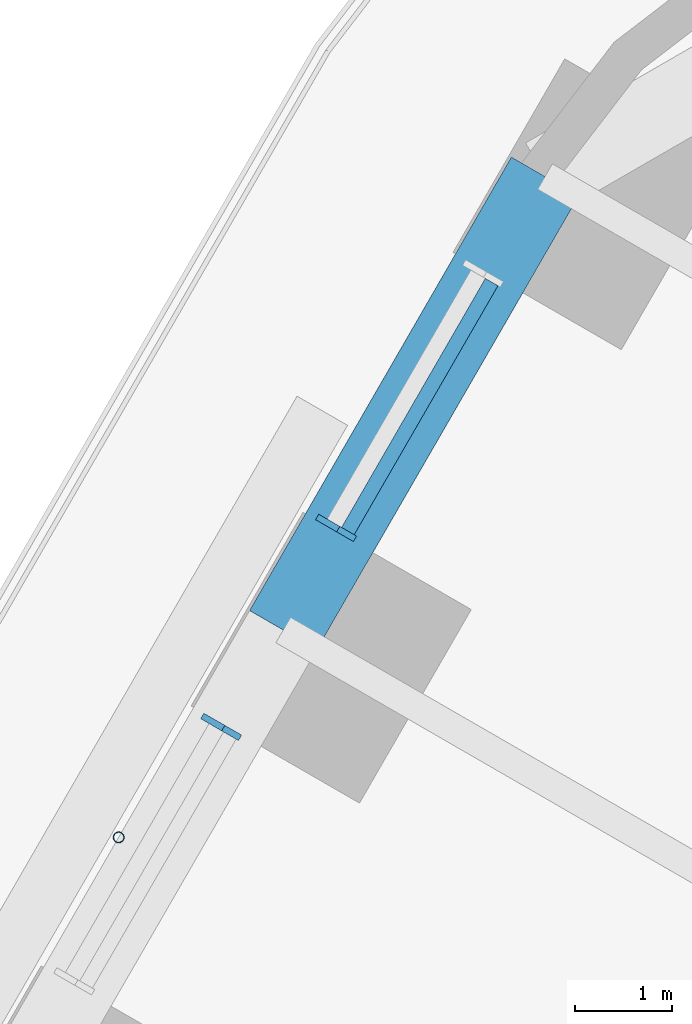
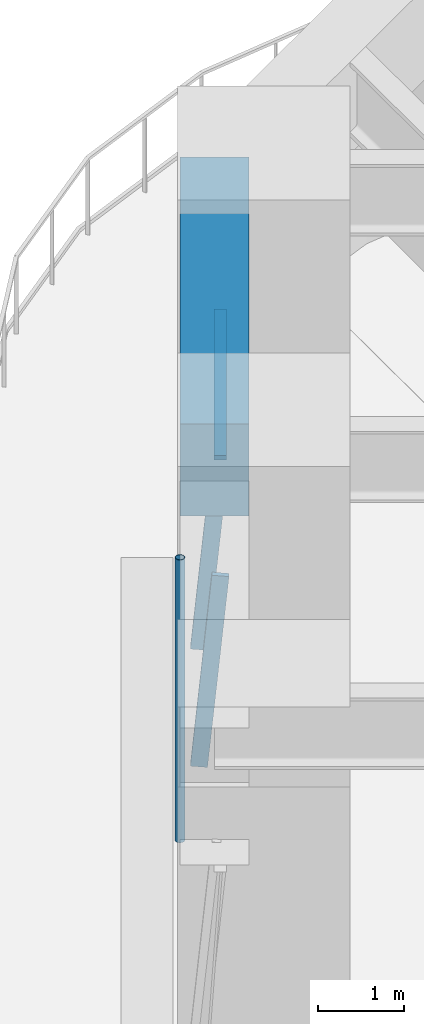
# One storey, part 9 of 23: 4 members, 1 beam, 2 elements without a shape of their own.
"""IFC4 building model written with IfcOpenShell, lengths in metres."""

from ifc_helpers import new_model, si_unit, direction, frame, origin, origin_2d, place, context, subcontext, project, spatial, rectangle, hollow_circle, extrude, material, material_profile, profile_set, type_object, element, aggregate, save


model = new_model("IFC4")

# Units and contexts
model_context = context("Model", 3, precision=1e-05, world=origin(), true_north=direction((0.0, 1.0)))
body_context = subcontext(model_context, "Body", "Model", "MODEL_VIEW")
ifc_project = project(units=[si_unit("LENGTHUNIT", "METRE"), si_unit("AREAUNIT", "SQUARE_METRE"), si_unit("VOLUMEUNIT", "CUBIC_METRE"), si_unit("PLANEANGLEUNIT", "RADIAN"), si_unit("MASSUNIT", "GRAM", prefix="KILO")], contexts=[model_context])

# Site, building, storey
site_placement = place(None, origin())
site = spatial("IfcSite", under=ifc_project, at=site_placement, CompositionType="ELEMENT")
building_placement = place(site_placement, origin())
building = spatial("IfcBuilding", under=site, at=building_placement, Name="Tarfa Lantern Tower", CompositionType="ELEMENT")
storey_placement = place(building_placement, frame((0.0, 0.0, 31.89990234375)))
storey = spatial("IfcBuildingStorey", under=building, at=storey_placement, Name="L06", CompositionType="ELEMENT", Elevation=31.89990234375)

# Curtain wall, member
ifc_material_1 = material(Name="Aluminium framed curtain wall", Category="aluminium")
curtain_wall_type = type_object("IfcCurtainWallType", Name="CW1 CANTED GLAZING LOW ZONE 2700", PredefinedType="USERDEFINED", material=ifc_material_1)
curtain_wall_1_placement = place(storey_placement, origin())
curtain_wall_1 = element("IfcCurtainWall", 1, at=curtain_wall_1_placement, inside=storey, type_object=curtain_wall_type, Name="CW1 NW L06", ObjectType="CURTAIN WALL", PredefinedType="USERDEFINED")
ifc_material_2 = material(Name="Aluminium mullion", Category="aluminium")
ifc_material_profile_1 = material_profile(ifc_material_2, rectangle(XDim=0.06494140625, YDim=0.199951171875, at=origin_2d()), Name="AL MULLION 65x200")
ifc_profile_set_1 = profile_set([ifc_material_profile_1], Name="Aluminium mullion")
member_type_1 = type_object("IfcMemberType", Name="CWM1 MULLION 65x200", PredefinedType="MULLION", material=ifc_profile_set_1)
member_1_placement = place(storey_placement, frame((-23.37841796875, 27.307373046875, 0.0), z_axis=(0.079857261722, -0.046095736191, 0.995739926314), x_axis=(0.499919672301, 0.866071776036, 0.0)))
member_1 = element("IfcMember", 2, at=member_1_placement, type_object=member_type_1, Name="CW1 mullion 2", PredefinedType="MULLION", context=body_context, shape_type="SweptSolid", body=[
    extrude(rectangle(XDim=0.06494140625, YDim=0.199951171875, at=origin_2d()), origin(), (0.0, 0.0, 1.0), 2.711669921875),
])

curtain_wall_2_placement = place(storey_placement, origin())
curtain_wall_2 = element("IfcCurtainWall", 3, at=curtain_wall_2_placement, inside=storey, type_object=curtain_wall_type, Name="CW1 NW L06", ObjectType="CURTAIN WALL", PredefinedType="USERDEFINED")
member_2_placement = place(storey_placement, frame((-24.560791015625, 25.25927734375, 0.0), z_axis=(0.079767804165, -0.046096067418, 0.995747081335), x_axis=(0.500342721131, 0.865827443207, 0.0)))
member_2 = element("IfcMember", 4, at=member_2_placement, type_object=member_type_1, Name="CW1 mullion 1", PredefinedType="MULLION", context=body_context, shape_type="SweptSolid", body=[
    extrude(rectangle(XDim=0.06494140625, YDim=0.199951171875, at=origin_2d()), origin(), (0.0, 0.0, 1.0), 2.711669921875),
])
aggregate(curtain_wall_2, [member_2])

# Member
ifc_material_3 = material(Name="Aluminium transom", Category="aluminium")
ifc_material_profile_2 = material_profile(ifc_material_3, rectangle(XDim=0.14990234375, YDim=0.06494140625, at=origin_2d()), Name="AL TRANSOM 150x65")
ifc_profile_set_2 = profile_set([ifc_material_profile_2], Name="Aluminium transom")
member_type_2 = type_object("IfcMemberType", Name="CWT1 TRANSOM 150x65", PredefinedType="USERDEFINED", material=ifc_profile_set_2)
member_3_placement = place(storey_placement, frame((-21.6689453125, 29.774169921875, 2.66748046875), z_axis=(-0.500017718492, -0.866015173767, 0.0), x_axis=(0.866015173767, -0.500017718492, 0.0)))
member_3 = element("IfcMember", 5, at=member_3_placement, type_object=member_type_2, Name="CW1 transom 1.2", ObjectType="TRANSOM", PredefinedType="USERDEFINED", context=body_context, shape_type="SweptSolid", body=[
    extrude(rectangle(XDim=0.14990234375, YDim=0.06494140625, at=origin_2d()), origin(), (0.0, 0.0, 1.0), 2.95849609375),
])

aggregate(curtain_wall_1, [member_1, member_3])

# Beam
ifc_material_4 = material(Name="Concrete C80/95", Category="concrete")
ifc_material_profile_3 = material_profile(ifc_material_4, rectangle(XDim=0.800048828125, YDim=1.300048828125, at=origin_2d()), Name="RC 800x1300")
ifc_profile_set_3 = profile_set([ifc_material_profile_3], Name="Concrete C80/95")
beam_type = type_object("IfcBeamType", Name="EB1 RC 800x1300", PredefinedType="SPANDREL", material=ifc_profile_set_3)
beam_placement = place(storey_placement, frame((-21.119384765625, 30.860107421875, 3.35009765625), z_axis=(-0.499998287579, -0.866026392449, 0.0), x_axis=(0.866026392449, -0.499998287579, 0.0)))
element("IfcBeam", 6, at=beam_placement, inside=storey, type_object=beam_type, Name="Edge beam NW0", PredefinedType="SPANDREL", context=body_context, shape_type="SweptSolid", body=[
    extrude(rectangle(XDim=0.800048828125, YDim=1.300048828125, at=origin_2d()), origin(), (0.0, 0.0, 1.0), 5.388671875),
])

# Member
ifc_material_5 = material(Name="Steel S355", Category="steel")
ifc_material_profile_4 = material_profile(ifc_material_5, hollow_circle(Radius=0.05712890625, WallThickness=0.00634765625, at=origin_2d()), Name="CHS114.3x6.3")
ifc_profile_set_4 = profile_set([ifc_material_profile_4], Name="Steel S355")
member_type_3 = type_object("IfcMemberType", Name="TR1 GREEN WALL TRELLIS CHS114.3x6.3", PredefinedType="USERDEFINED", material=ifc_profile_set_4)
member_4_placement = place(storey_placement, frame((-25.50732421875, 24.06005859375, 0.0), z_axis=(0.0, 0.0, 1.0), x_axis=(1.0, 0.0, 0.0)))
element("IfcMember", 7, at=member_4_placement, inside=storey, type_object=member_type_3, Name="Trellis post NW 1", ObjectType="TRELLIS", PredefinedType="USERDEFINED", context=body_context, shape_type="SweptSolid", body=[
    extrude(hollow_circle(Radius=0.05712890625, WallThickness=0.00634765625, at=origin_2d()), origin(), (0.0, 0.0, 1.0), 4.0),
])

save(model, "model.ifc")
